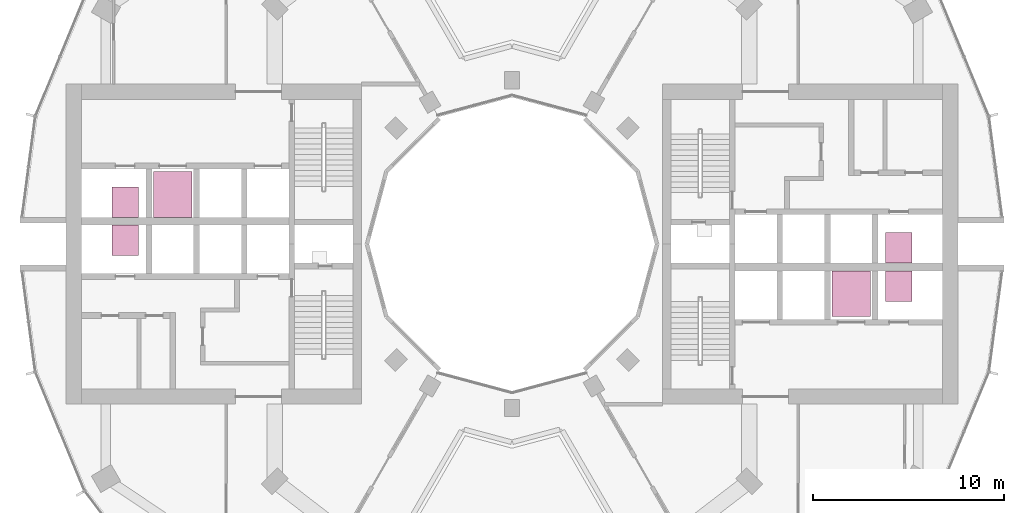
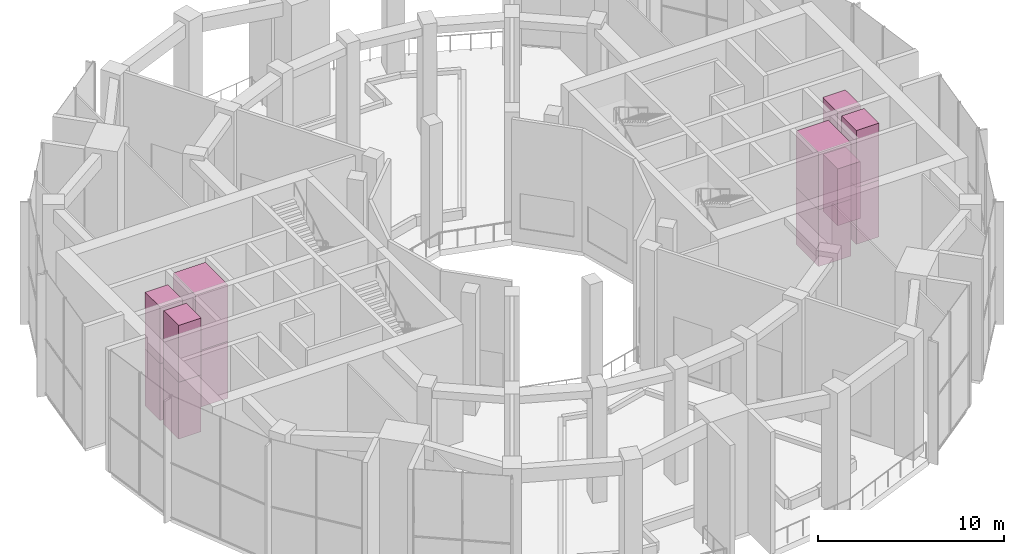
# One storey, part 18 of 18: 12 transport elements.
"""IFC4 building model written with IfcOpenShell, lengths in metres."""

from ifc_helpers import new_model, si_unit, direction, frame, origin, origin_2d, place, context, subcontext, project, spatial, rectangle, extrude, material, type_object, element, save


model = new_model("IFC4")

# Units and contexts
model_context = context("Model", 3, precision=1e-05, world=origin(), true_north=direction((0.0, 1.0)))
body_context = subcontext(model_context, "Body", "Model", "MODEL_VIEW")
ifc_project = project(units=[si_unit("LENGTHUNIT", "METRE"), si_unit("AREAUNIT", "SQUARE_METRE"), si_unit("VOLUMEUNIT", "CUBIC_METRE"), si_unit("PLANEANGLEUNIT", "RADIAN"), si_unit("MASSUNIT", "GRAM", prefix="KILO")], contexts=[model_context])

# Site, building, storey
site_placement = place(None, origin())
site = spatial("IfcSite", under=ifc_project, at=site_placement, CompositionType="ELEMENT")
building_placement = place(site_placement, origin())
building = spatial("IfcBuilding", under=site, at=building_placement, Name="Torre Brocal", CompositionType="ELEMENT")
storey_placement = place(building_placement, frame((0.0, 0.0, 74.39990234375)))
storey = spatial("IfcBuildingStorey", under=building, at=storey_placement, Name="L17", CompositionType="ELEMENT", Elevation=74.39990234375)

# Transport elements
ifc_material_1 = material(Name="Stainless steel AISI 316", Category="steel")
transport_element_type_1 = type_object("IfcTransportElementType", Name="PASSENGER LIFT 2000", PredefinedType="ELEVATOR", material=ifc_material_1)
for number, where, z_axis, x_axis, name in (
    (1, (97.800048828125, 72.39990234375, 0.0), (0.0, 0.0, 1.0), (1.0, 0.0, 0.0), "LOW RISE LIFT E-LR2"),
    (2, (97.800048828125, 72.39990234375, 3.72509765625), (0.0, 0.0, 1.0), (1.0, 0.0, 0.0), "LOW RISE LIFT E-LR2"),
    (3, (62.199951171875, 77.60009765625, 0.0), (0.0, 0.0, 1.0), (1.0, 0.0, 0.0), "LOW RISE LIFT W-LR2"),
    (4, (62.199951171875, 77.60009765625, 3.72509765625), (0.0, 0.0, 1.0), (1.0, 0.0, 0.0), "LOW RISE LIFT W-LR2"),
):
    element("IfcTransportElement", number, at=place(storey_placement, frame(where, z_axis=z_axis, x_axis=x_axis)), inside=storey, type_object=transport_element_type_1, Name=name, PredefinedType="ELEVATOR", context=body_context, shape_type="SweptSolid", body=[
        extrude(rectangle(XDim=2.0, YDim=2.39990234375, at=origin_2d()), origin(), (0.0, 0.0, 1.0), 3.72509765625),
    ])
ifc_material_2 = material(Name="Stainless steel AISI 316", Category="steel")
transport_element_type_2 = type_object("IfcTransportElementType", Name="PASSENGER LIFT 900", PredefinedType="ELEVATOR", material=ifc_material_2)
for number, where, z_axis, x_axis, name in (
    (5, (100.300048828125, 74.800048828125, 0.0), (0.0, 0.0, 1.0), (1.0, 0.0, 0.0), "LOW RISE LIFT E-LR1"),
    (6, (100.300048828125, 74.800048828125, 3.72509765625), (0.0, 0.0, 1.0), (1.0, 0.0, 0.0), "LOW RISE LIFT E-LR1"),
    (7, (100.300048828125, 72.800048828125, 0.0), (0.0, 0.0, 1.0), (1.0, 0.0, 0.0), "LOW RISE LIFT E-LR3"),
    (8, (100.300048828125, 72.800048828125, 3.72509765625), (0.0, 0.0, 1.0), (1.0, 0.0, 0.0), "LOW RISE LIFT E-LR3"),
    (9, (59.699951171875, 75.199951171875, 0.0), (0.0, 0.0, 1.0), (1.0, 0.0, 0.0), "LOW RISE LIFT W-LR1"),
    (10, (59.699951171875, 75.199951171875, 3.72509765625), (0.0, 0.0, 1.0), (1.0, 0.0, 0.0), "LOW RISE LIFT W-LR1"),
    (11, (59.699951171875, 77.199951171875, 0.0), (0.0, 0.0, 1.0), (1.0, 0.0, 0.0), "LOW RISE LIFT W-LR3"),
    (12, (59.699951171875, 77.199951171875, 3.72509765625), (0.0, 0.0, 1.0), (1.0, 0.0, 0.0), "LOW RISE LIFT W-LR3"),
):
    element("IfcTransportElement", number, at=place(storey_placement, frame(where, z_axis=z_axis, x_axis=x_axis)), inside=storey, type_object=transport_element_type_2, Name=name, PredefinedType="ELEVATOR", context=body_context, shape_type="SweptSolid", body=[
        extrude(rectangle(XDim=1.39990234375, YDim=1.60009765625, at=origin_2d()), origin(), (0.0, 0.0, 1.0), 3.72509765625),
    ])

save(model, "model.ifc")
